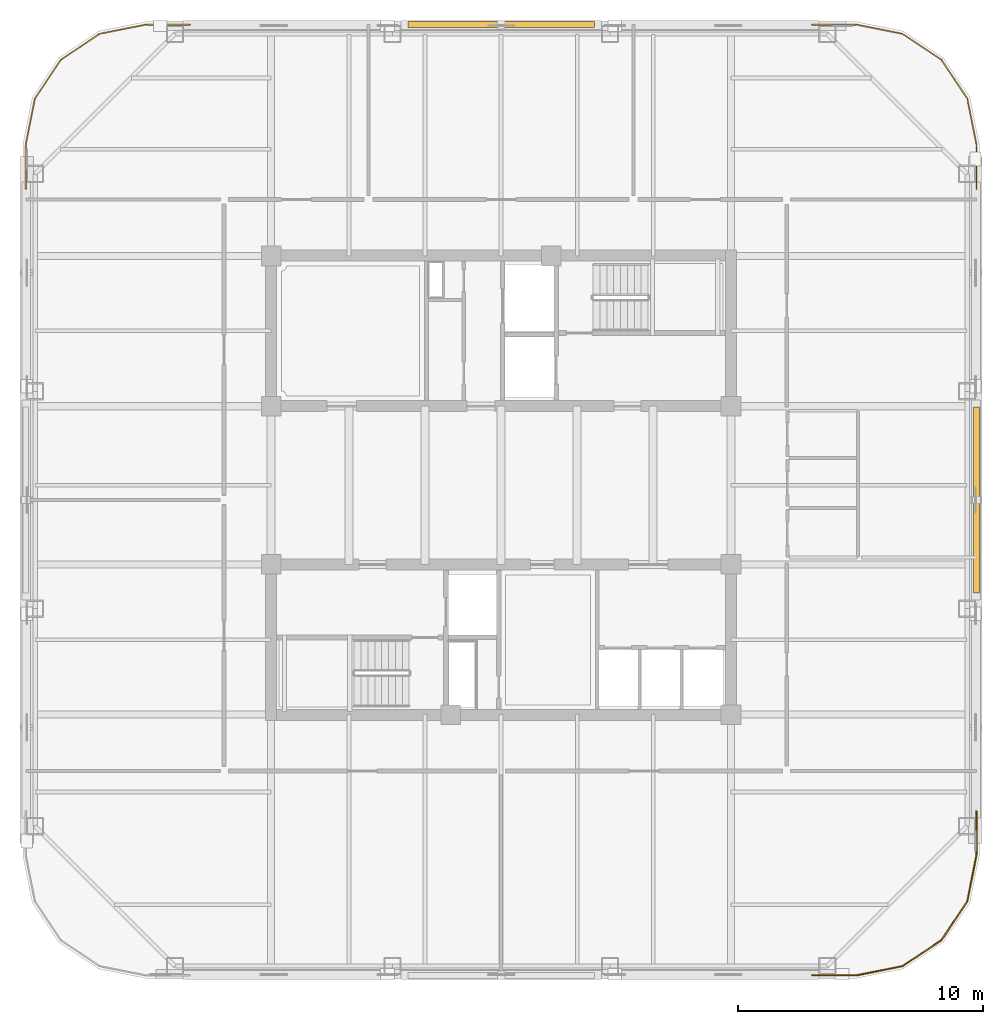
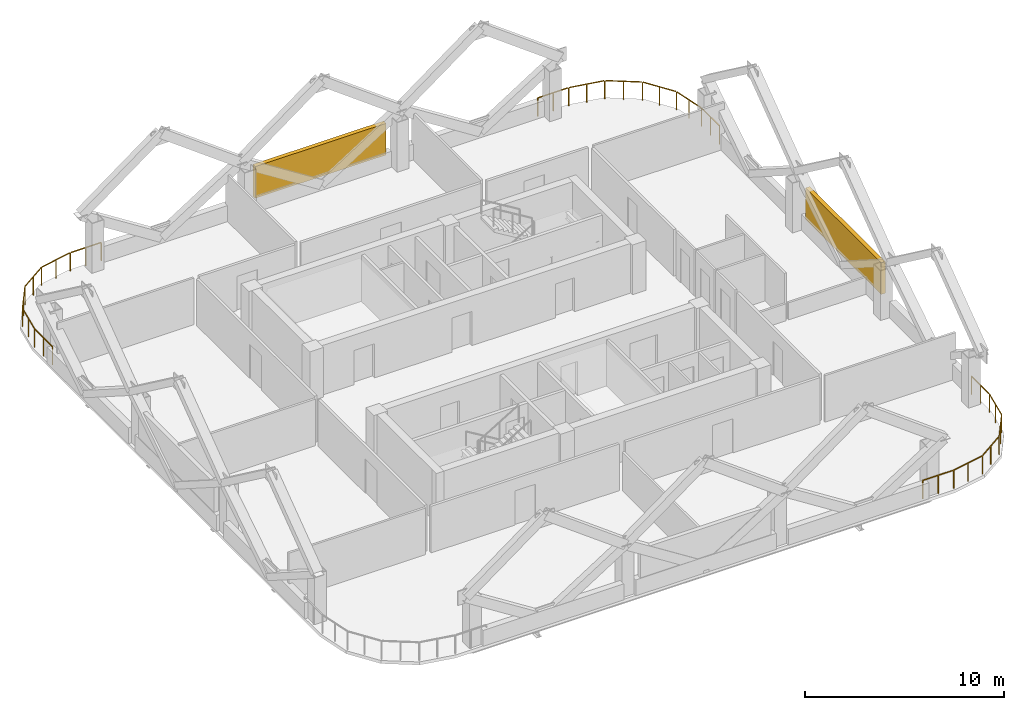
# One storey, part 8 of 8: 4 railings, 2 shading devices.
"""IFC4 building model written with IfcOpenShell, lengths in metres."""

from ifc_helpers import new_model, si_unit, direction, frame, origin, origin_2d, place, context, subcontext, project, spatial, rectangle, extrude, material, type_object, element, save


model = new_model("IFC4")

# Units and contexts
model_context = context("Model", 3, precision=1e-05, world=origin(), true_north=direction((0.0, 1.0)))
body_context = subcontext(model_context, "Body", "Model", "MODEL_VIEW")
ifc_project = project(units=[si_unit("LENGTHUNIT", "METRE"), si_unit("AREAUNIT", "SQUARE_METRE"), si_unit("VOLUMEUNIT", "CUBIC_METRE"), si_unit("PLANEANGLEUNIT", "RADIAN"), si_unit("MASSUNIT", "GRAM", prefix="KILO")], contexts=[model_context])

# Site, building, storey
site_placement = place(None, origin())
site = spatial("IfcSite", under=ifc_project, at=site_placement, CompositionType="ELEMENT")
building_placement = place(site_placement, origin())
building = spatial("IfcBuilding", under=site, at=building_placement, Name="Qhalaya Broadcast Tower", CompositionType="ELEMENT")
storey_placement = place(building_placement, frame((0.0, 0.0, 223.89990234375)))
storey = spatial("IfcBuildingStorey", under=building, at=storey_placement, Name="L66", CompositionType="ELEMENT", Elevation=223.89990234375)

# Railings
ifc_material_1 = material(Name="Powder-Coated Galvanised Steel", Category="steel")
railing_type = type_object("IfcRailingType", Name="Terrace, Sky-Pool & Lookout Glass Balustrade 1150", PredefinedType="BALUSTRADE", material=ifc_material_1)
railing_1_placement = place(storey_placement, frame((14.48828125, -19.3798828125, 0.0)))
element("IfcRailing", 1, at=railing_1_placement, inside=storey, type_object=railing_type, Name="L66 Rounded Corner Perimeter Guard 01", PredefinedType="BALUSTRADE", context=body_context, shape_type="SweptSolid", body=[
    extrude(rectangle(XDim=0.048095703125, YDim=0.048095703125, at=origin_2d()), frame((0.0, 0.0, 1.1259765625), z_axis=(-1.0, 0.0, 0.0), x_axis=(0.0, -1.0, 0.0)), (0.0, 0.0, 1.0), 1.806396484375),
    extrude(rectangle(XDim=0.0419921875, YDim=0.0419921875, at=origin_2d()), origin(), (0.0, 0.0, 1.0), 1.099853515625),
    extrude(rectangle(XDim=0.0419921875, YDim=0.0419921875, at=origin_2d()), frame((-0.9033203125, 0.0, 0.0)), (0.0, 0.0, 1.0), 1.099853515625),
    extrude(rectangle(XDim=0.0419921875, YDim=0.0419921875, at=origin_2d()), frame((-1.806396484375, 0.0, 0.0)), (0.0, 0.0, 1.0), 1.099853515625),
])
railing_2_placement = place(storey_placement, frame((-19.3798828125, 12.681884765625, 0.0)))
element("IfcRailing", 2, at=railing_2_placement, inside=storey, type_object=railing_type, Name="L66 Rounded Corner Perimeter Guard 03", PredefinedType="BALUSTRADE", context=body_context, shape_type="SweptSolid", body=[
    extrude(rectangle(XDim=0.048095703125, YDim=0.048095703125, at=origin_2d()), frame((0.0, 0.0, 1.1259765625), z_axis=(0.0, 1.0, 0.0), x_axis=(-1.0, 0.0, 0.0)), (0.0, 0.0, 1.0), 1.777587890625),
    extrude(rectangle(XDim=0.048095703125, YDim=0.048095703125, at=origin_2d()), frame((0.005615234375, 1.834716796875, 1.1259765625), z_axis=(0.195037378397, 0.980795810058, 0.0), x_axis=(-0.980795810058, 0.195037378397, 0.0)), (0.0, 0.0, 1.0), 1.857421875),
    extrude(rectangle(XDim=0.048095703125, YDim=0.048095703125, at=origin_2d()), frame((0.3896484375, 3.708740234375, 1.1259765625), z_axis=(0.555617615188, 0.831437950597, 0.0), x_axis=(-0.831437950597, 0.555617615188, 0.0)), (0.0, 0.0, 1.0), 1.845458984375),
    extrude(rectangle(XDim=0.048095703125, YDim=0.048095703125, at=origin_2d()), frame((1.454833984375, 5.283203125, 1.1259765625), z_axis=(0.831437950597, 0.555617615188, 0.0), x_axis=(-0.555617615188, 0.831437950597, 0.0)), (0.0, 0.0, 1.0), 1.845458984375),
    extrude(rectangle(XDim=0.048095703125, YDim=0.048095703125, at=origin_2d()), frame((3.04150390625, 6.330078125, 1.1259765625), z_axis=(0.980795810058, 0.195037378397, 0.0), x_axis=(-0.195037378397, 0.980795810058, 0.0)), (0.0, 0.0, 1.0), 1.857421875),
    extrude(rectangle(XDim=0.048095703125, YDim=0.048095703125, at=origin_2d()), frame((4.92041015625, 6.697998046875, 1.1259765625), z_axis=(1.0, 0.0, 0.0), x_axis=(0.0, 1.0, 0.0)), (0.0, 0.0, 1.0), 1.777587890625),
    extrude(rectangle(XDim=0.0419921875, YDim=0.0419921875, at=origin_2d()), origin(), (0.0, 0.0, 1.0), 1.099853515625),
    extrude(rectangle(XDim=0.0419921875, YDim=0.0419921875, at=origin_2d()), frame((0.0, 0.9033203125, 0.0)), (0.0, 0.0, 1.0), 1.099853515625),
    extrude(rectangle(XDim=0.0419921875, YDim=0.0419921875, at=origin_2d()), frame((0.0, 1.806396484375, 0.0)), (0.0, 0.0, 1.0), 1.099853515625),
    extrude(rectangle(XDim=0.0419921875, YDim=0.0419921875, at=origin_2d()), frame((0.186767578125, 2.74560546875, 0.0)), (0.0, 0.0, 1.0), 1.099853515625),
    extrude(rectangle(XDim=0.0419921875, YDim=0.0419921875, at=origin_2d()), frame((0.37353515625, 3.684814453125, 0.0)), (0.0, 0.0, 1.0), 1.099853515625),
    extrude(rectangle(XDim=0.0419921875, YDim=0.0419921875, at=origin_2d()), frame((0.90234375, 4.47607421875, 0.0)), (0.0, 0.0, 1.0), 1.099853515625),
    extrude(rectangle(XDim=0.0419921875, YDim=0.0419921875, at=origin_2d()), frame((1.430908203125, 5.26708984375, 0.0)), (0.0, 0.0, 1.0), 1.099853515625),
    extrude(rectangle(XDim=0.0419921875, YDim=0.0419921875, at=origin_2d()), frame((2.22216796875, 5.7958984375, 0.0)), (0.0, 0.0, 1.0), 1.099853515625),
    extrude(rectangle(XDim=0.0419921875, YDim=0.0419921875, at=origin_2d()), frame((3.01318359375, 6.324462890625, 0.0)), (0.0, 0.0, 1.0), 1.099853515625),
    extrude(rectangle(XDim=0.0419921875, YDim=0.0419921875, at=origin_2d()), frame((3.952392578125, 6.51123046875, 0.0)), (0.0, 0.0, 1.0), 1.099853515625),
    extrude(rectangle(XDim=0.0419921875, YDim=0.0419921875, at=origin_2d()), frame((4.8916015625, 6.697998046875, 0.0)), (0.0, 0.0, 1.0), 1.099853515625),
    extrude(rectangle(XDim=0.0419921875, YDim=0.0419921875, at=origin_2d()), frame((5.794921875, 6.697998046875, 0.0)), (0.0, 0.0, 1.0), 1.099853515625),
    extrude(rectangle(XDim=0.0419921875, YDim=0.0419921875, at=origin_2d()), frame((6.697998046875, 6.697998046875, 0.0)), (0.0, 0.0, 1.0), 1.099853515625),
])
railing_3_placement = place(storey_placement, frame((12.681884765625, 19.3798828125, 0.0)))
element("IfcRailing", 3, at=railing_3_placement, inside=storey, type_object=railing_type, Name="L66 Rounded Corner Perimeter Guard 04", PredefinedType="BALUSTRADE", context=body_context, shape_type="SweptSolid", body=[
    extrude(rectangle(XDim=0.048095703125, YDim=0.048095703125, at=origin_2d()), frame((0.0, 0.0, 1.1259765625), z_axis=(1.0, 0.0, 0.0), x_axis=(0.0, 1.0, 0.0)), (0.0, 0.0, 1.0), 1.777587890625),
    extrude(rectangle(XDim=0.048095703125, YDim=0.048095703125, at=origin_2d()), frame((1.834716796875, -0.005615234375, 1.1259765625), z_axis=(0.980795810058, -0.195037378397, 0.0), x_axis=(0.195037378397, 0.980795810058, 0.0)), (0.0, 0.0, 1.0), 1.857421875),
    extrude(rectangle(XDim=0.048095703125, YDim=0.048095703125, at=origin_2d()), frame((3.708740234375, -0.3896484375, 1.1259765625), z_axis=(0.831437950597, -0.555617615188, 0.0), x_axis=(0.555617615188, 0.831437950597, 0.0)), (0.0, 0.0, 1.0), 1.845458984375),
    extrude(rectangle(XDim=0.048095703125, YDim=0.048095703125, at=origin_2d()), frame((5.283203125, -1.454833984375, 1.1259765625), z_axis=(0.555617615188, -0.831437950597, 0.0), x_axis=(0.831437950597, 0.555617615188, 0.0)), (0.0, 0.0, 1.0), 1.845458984375),
    extrude(rectangle(XDim=0.048095703125, YDim=0.048095703125, at=origin_2d()), frame((6.330078125, -3.04150390625, 1.1259765625), z_axis=(0.195037378397, -0.980795810058, 0.0), x_axis=(0.980795810058, 0.195037378397, 0.0)), (0.0, 0.0, 1.0), 1.857421875),
    extrude(rectangle(XDim=0.048095703125, YDim=0.048095703125, at=origin_2d()), frame((6.697998046875, -4.92041015625, 1.1259765625), z_axis=(0.0, -1.0, 0.0), x_axis=(1.0, 0.0, 0.0)), (0.0, 0.0, 1.0), 1.777587890625),
    extrude(rectangle(XDim=0.0419921875, YDim=0.0419921875, at=origin_2d()), origin(), (0.0, 0.0, 1.0), 1.099853515625),
    extrude(rectangle(XDim=0.0419921875, YDim=0.0419921875, at=origin_2d()), frame((0.9033203125, 0.0, 0.0)), (0.0, 0.0, 1.0), 1.099853515625),
    extrude(rectangle(XDim=0.0419921875, YDim=0.0419921875, at=origin_2d()), frame((1.806396484375, 0.0, 0.0)), (0.0, 0.0, 1.0), 1.099853515625),
    extrude(rectangle(XDim=0.0419921875, YDim=0.0419921875, at=origin_2d()), frame((2.74560546875, -0.186767578125, 0.0)), (0.0, 0.0, 1.0), 1.099853515625),
    extrude(rectangle(XDim=0.0419921875, YDim=0.0419921875, at=origin_2d()), frame((3.684814453125, -0.37353515625, 0.0)), (0.0, 0.0, 1.0), 1.099853515625),
    extrude(rectangle(XDim=0.0419921875, YDim=0.0419921875, at=origin_2d()), frame((4.47607421875, -0.90234375, 0.0)), (0.0, 0.0, 1.0), 1.099853515625),
    extrude(rectangle(XDim=0.0419921875, YDim=0.0419921875, at=origin_2d()), frame((5.26708984375, -1.430908203125, 0.0)), (0.0, 0.0, 1.0), 1.099853515625),
    extrude(rectangle(XDim=0.0419921875, YDim=0.0419921875, at=origin_2d()), frame((5.7958984375, -2.22216796875, 0.0)), (0.0, 0.0, 1.0), 1.099853515625),
    extrude(rectangle(XDim=0.0419921875, YDim=0.0419921875, at=origin_2d()), frame((6.324462890625, -3.01318359375, 0.0)), (0.0, 0.0, 1.0), 1.099853515625),
    extrude(rectangle(XDim=0.0419921875, YDim=0.0419921875, at=origin_2d()), frame((6.51123046875, -3.952392578125, 0.0)), (0.0, 0.0, 1.0), 1.099853515625),
    extrude(rectangle(XDim=0.0419921875, YDim=0.0419921875, at=origin_2d()), frame((6.697998046875, -4.8916015625, 0.0)), (0.0, 0.0, 1.0), 1.099853515625),
    extrude(rectangle(XDim=0.0419921875, YDim=0.0419921875, at=origin_2d()), frame((6.697998046875, -5.794921875, 0.0)), (0.0, 0.0, 1.0), 1.099853515625),
    extrude(rectangle(XDim=0.0419921875, YDim=0.0419921875, at=origin_2d()), frame((6.697998046875, -6.697998046875, 0.0)), (0.0, 0.0, 1.0), 1.099853515625),
])
railing_4_placement = place(storey_placement, frame((19.3798828125, -12.681884765625, 0.0)))
element("IfcRailing", 4, at=railing_4_placement, inside=storey, type_object=railing_type, Name="L66 Rounded Corner Perimeter Guard 05", PredefinedType="BALUSTRADE", context=body_context, shape_type="SweptSolid", body=[
    extrude(rectangle(XDim=0.048095703125, YDim=0.048095703125, at=origin_2d()), frame((0.0, 0.0, 1.1259765625), z_axis=(0.0, -1.0, 0.0), x_axis=(1.0, 0.0, 0.0)), (0.0, 0.0, 1.0), 1.777587890625),
    extrude(rectangle(XDim=0.048095703125, YDim=0.048095703125, at=origin_2d()), frame((-0.005615234375, -1.834716796875, 1.1259765625), z_axis=(-0.195037378397, -0.980795810058, 0.0), x_axis=(0.980795810058, -0.195037378397, 0.0)), (0.0, 0.0, 1.0), 1.857421875),
    extrude(rectangle(XDim=0.048095703125, YDim=0.048095703125, at=origin_2d()), frame((-0.3896484375, -3.708740234375, 1.1259765625), z_axis=(-0.555617615188, -0.831437950597, 0.0), x_axis=(0.831437950597, -0.555617615188, 0.0)), (0.0, 0.0, 1.0), 1.845458984375),
    extrude(rectangle(XDim=0.048095703125, YDim=0.048095703125, at=origin_2d()), frame((-1.454833984375, -5.283203125, 1.1259765625), z_axis=(-0.831437950597, -0.555617615188, 0.0), x_axis=(0.555617615188, -0.831437950597, 0.0)), (0.0, 0.0, 1.0), 1.845458984375),
    extrude(rectangle(XDim=0.048095703125, YDim=0.048095703125, at=origin_2d()), frame((-3.04150390625, -6.330078125, 1.1259765625), z_axis=(-0.980795810058, -0.195037378397, 0.0), x_axis=(0.195037378397, -0.980795810058, 0.0)), (0.0, 0.0, 1.0), 1.88623046875),
    extrude(rectangle(XDim=0.0419921875, YDim=0.0419921875, at=origin_2d()), origin(), (0.0, 0.0, 1.0), 1.099853515625),
    extrude(rectangle(XDim=0.0419921875, YDim=0.0419921875, at=origin_2d()), frame((0.0, -0.9033203125, 0.0)), (0.0, 0.0, 1.0), 1.099853515625),
    extrude(rectangle(XDim=0.0419921875, YDim=0.0419921875, at=origin_2d()), frame((0.0, -1.806396484375, 0.0)), (0.0, 0.0, 1.0), 1.099853515625),
    extrude(rectangle(XDim=0.0419921875, YDim=0.0419921875, at=origin_2d()), frame((-0.186767578125, -2.74560546875, 0.0)), (0.0, 0.0, 1.0), 1.099853515625),
    extrude(rectangle(XDim=0.0419921875, YDim=0.0419921875, at=origin_2d()), frame((-0.37353515625, -3.684814453125, 0.0)), (0.0, 0.0, 1.0), 1.099853515625),
    extrude(rectangle(XDim=0.0419921875, YDim=0.0419921875, at=origin_2d()), frame((-0.90234375, -4.47607421875, 0.0)), (0.0, 0.0, 1.0), 1.099853515625),
    extrude(rectangle(XDim=0.0419921875, YDim=0.0419921875, at=origin_2d()), frame((-1.430908203125, -5.26708984375, 0.0)), (0.0, 0.0, 1.0), 1.099853515625),
    extrude(rectangle(XDim=0.0419921875, YDim=0.0419921875, at=origin_2d()), frame((-2.22216796875, -5.7958984375, 0.0)), (0.0, 0.0, 1.0), 1.099853515625),
    extrude(rectangle(XDim=0.0419921875, YDim=0.0419921875, at=origin_2d()), frame((-3.01318359375, -6.324462890625, 0.0)), (0.0, 0.0, 1.0), 1.099853515625),
    extrude(rectangle(XDim=0.0419921875, YDim=0.0419921875, at=origin_2d()), frame((-3.952392578125, -6.51123046875, 0.0)), (0.0, 0.0, 1.0), 1.099853515625),
    extrude(rectangle(XDim=0.0419921875, YDim=0.0419921875, at=origin_2d()), frame((-4.8916015625, -6.697998046875, 0.0)), (0.0, 0.0, 1.0), 1.099853515625),
])

# Shading devices
ifc_material_2 = material(Name="Fired Architectural Terracotta", Category="masonry")
shading_device_type = type_object("IfcShadingDeviceType", Name="Terracotta Baguette Solar Screen Assembly TBS-01", PredefinedType="USERDEFINED", material=ifc_material_2)
for number, where, z_axis, x_axis, name in (
    (5, (19.3798828125, 0.0, 0.80078125), (0.0, 0.0, 1.0), (0.0, 1.0, 0.0), "L66 Fired Terracotta Baguette Screen E"),
    (6, (0.0, 19.3798828125, 0.80078125), (0.0, 0.0, 1.0), (-1.0, 0.0, 0.0), "L66 Fired Terracotta Baguette Screen N"),
):
    element("IfcShadingDevice", number, at=place(storey_placement, frame(where, z_axis=z_axis, x_axis=x_axis)), inside=storey, type_object=shading_device_type, Name=name, ObjectType="BAGUETTE", PredefinedType="USERDEFINED", context=body_context, shape_type="SweptSolid", body=[
        extrude(rectangle(XDim=7.60009765625, YDim=0.239990234375, at=origin_2d()), origin(), (0.0, 0.0, 1.0), 1.945068359375),
    ])

save(model, "model.ifc")
